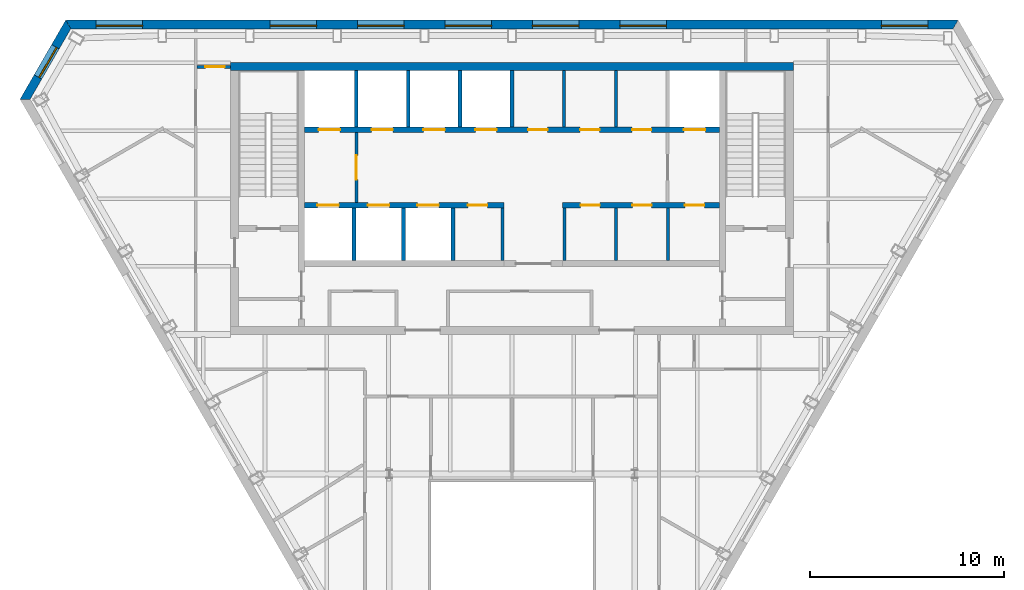
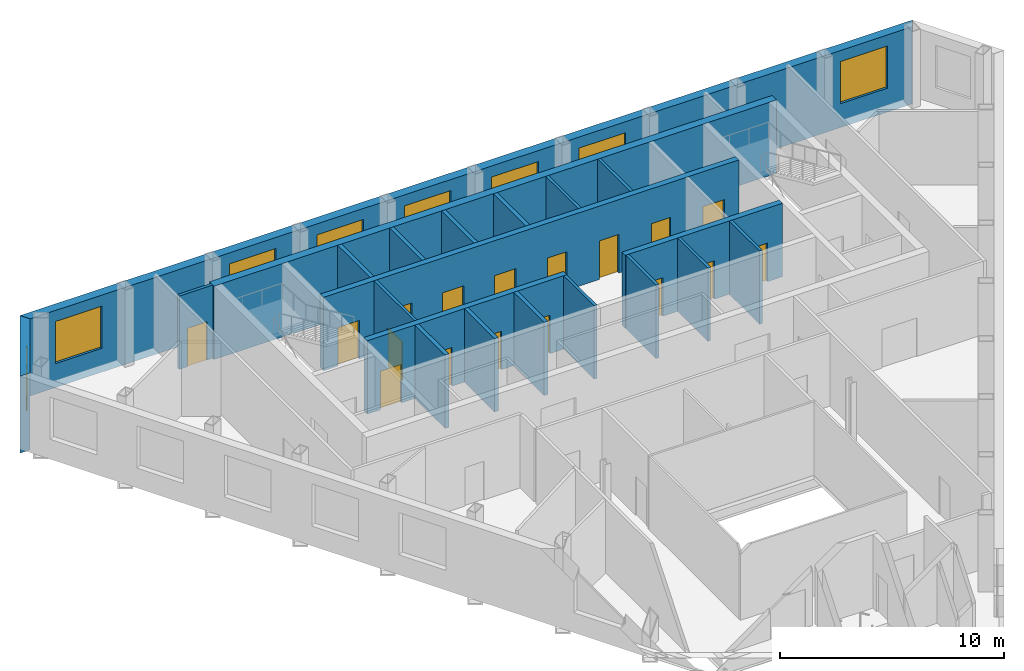
# One storey, part 6 of 10: 21 walls, 17 doors, 8 windows, 25 openings.
"""IFC4 building model written with IfcOpenShell, lengths in metres."""

import ifcopenshell
import ifcopenshell.guid

model = None  # the IFC model being written
_history = None  # IfcOwnerHistory: only IFC2X3 demands one
_inside = {}  # id of a spatial element -> (the spatial element, [elements in it])
_under = {}  # id of a project, library or spatial element -> (it, [spatial elements below it])
_declared = {}  # id of a project -> (the project, [libraries it declares])
_typed = {}  # id of a type object -> (the type object, [elements of that type])
_made_of = {}  # id of a material, layer set ... -> (it, [elements and type objects made of it])


def new_model(schema):
    """Start an empty IFC model of exactly this schema.

    Asked for "IFC4X3", IfcOpenShell would pick the latest addendum, in which some entities
    have other attributes; the version numbers below select the first issue.
    IFC2X3 requires an IfcOwnerHistory on every rooted entity: one is made here for all.
    """
    global model, _history
    if schema == "IFC4X3":
        model = ifcopenshell.file(schema_version=(4, 3, 0, 0))
    else:
        model = ifcopenshell.file(schema=schema)
    _inside.clear()
    _under.clear()
    _declared.clear()
    _typed.clear()
    _made_of.clear()
    _history = None
    if model.schema == "IFC2X3":
        org = make("IfcOrganization", Name="unknown")
        user = make(
            "IfcPersonAndOrganization",
            ThePerson=make("IfcPerson", FamilyName="unknown"),
            TheOrganization=org,
        )
        app = make(
            "IfcApplication",
            ApplicationDeveloper=org,
            Version="unknown",
            ApplicationFullName="unknown",
            ApplicationIdentifier="unknown",
        )
        _history = make(
            "IfcOwnerHistory",
            OwningUser=user,
            OwningApplication=app,
            ChangeAction="ADDED",
            CreationDate=0,
        )
    return model


def make(cls, **values):
    """One entity of the class cls with the attributes given. An attribute that is None is left unset."""
    return model.create_entity(
        cls, **{name: value for name, value in values.items() if value is not None}
    )


def rooted(cls, **values):
    """An entity with a GlobalId (a new one), such as an element, a storey or a relation."""
    return make(cls, GlobalId=ifcopenshell.guid.new(), OwnerHistory=_history, **values)


def si_unit(unit_type, name, prefix=None):
    """IfcSIUnit, for example si_unit("LENGTHUNIT", "METRE", prefix="MILLI")."""
    return make("IfcSIUnit", UnitType=unit_type, Prefix=prefix, Name=name)


def assignment(units):
    """IfcUnitAssignment: the units of a project."""
    return None if units is None else make("IfcUnitAssignment", Units=units)


def point(xyz):
    """IfcCartesianPoint."""
    return None if xyz is None else make("IfcCartesianPoint", Coordinates=xyz)


def direction(xyz):
    """IfcDirection."""
    return None if xyz is None else make("IfcDirection", DirectionRatios=xyz)


def frame(location, z_axis=None, x_axis=None):
    """IfcAxis2Placement3D, a coordinate frame: its origin and axes. An axis left out is left unset."""
    return make(
        "IfcAxis2Placement3D",
        Location=point(location),
        Axis=direction(z_axis),
        RefDirection=direction(x_axis),
    )


def frame_2d(location, x_axis=None):
    """IfcAxis2Placement2D, a coordinate frame in the plane: its origin and x axis."""
    return make(
        "IfcAxis2Placement2D", Location=point(location), RefDirection=direction(x_axis)
    )


def origin():
    """The frame at (0, 0, 0) with its axes left unset."""
    return frame((0.0, 0.0, 0.0))


def place(relative_to, where):
    """IfcLocalPlacement: puts the frame where relative to a parent placement (None: the world)."""
    return make(
        "IfcLocalPlacement", PlacementRelTo=relative_to, RelativePlacement=where
    )


def context(
    kind, dimensions, precision=None, world=None, true_north=None, identifier=None
):
    """IfcGeometricRepresentationContext, for example the 3D "Model" context."""
    return make(
        "IfcGeometricRepresentationContext",
        ContextIdentifier=identifier,
        ContextType=kind,
        CoordinateSpaceDimension=dimensions,
        Precision=precision,
        WorldCoordinateSystem=world,
        TrueNorth=true_north,
    )


def subcontext(parent, identifier, kind, view, scale=None):
    """IfcGeometricRepresentationSubContext, for example "Body" below "Model"."""
    return make(
        "IfcGeometricRepresentationSubContext",
        ContextIdentifier=identifier,
        ContextType=kind,
        ParentContext=parent,
        TargetScale=scale,
        TargetView=view,
    )


def project(units=None, contexts=None):
    """IfcProject with its units and contexts."""
    return rooted(
        "IfcProject",
        Name="project",
        RepresentationContexts=contexts,
        UnitsInContext=assignment(units),
    )


def spatial(cls, under=None, at=None, **own):
    """A site, building, storey or space (cls), placed at a placement, below another one or the project."""
    s = rooted(cls, ObjectPlacement=at, **own)
    if under is not None:
        _under.setdefault(under.id(), (under, []))[1].append(s)
    return s


def polyline(points):
    """IfcPolyline through the points."""
    return make("IfcPolyline", Points=[point(p) for p in points])


def profile(cls, at=None, kind="AREA", **sizes):
    """A parametric profile (cls). Its sizes go by their IFC names, for example OverallWidth=200.0."""
    return make(cls, ProfileType=kind, Position=at, **sizes)


def rectangle(**sizes):
    """IfcRectangleProfileDef."""
    return profile("IfcRectangleProfileDef", **sizes)


def outline(outer, holes=None, kind="AREA"):
    """IfcArbitraryClosedProfileDef: a profile drawn as a closed curve; with holes, ...WithVoids."""
    if holes is None:
        return make("IfcArbitraryClosedProfileDef", ProfileType=kind, OuterCurve=outer)
    return make(
        "IfcArbitraryProfileDefWithVoids",
        ProfileType=kind,
        OuterCurve=outer,
        InnerCurves=holes,
    )


def extrude(swept, where, along, depth):
    """IfcExtrudedAreaSolid: the profile swept, set in the frame where, extruded along a direction by depth."""
    return make(
        "IfcExtrudedAreaSolid",
        SweptArea=swept,
        Position=where,
        ExtrudedDirection=direction(along),
        Depth=depth,
    )


def shape(context_of_items, identifier, shape_type, items):
    """IfcShapeRepresentation: the items that make up one representation, for example the "Body"."""
    return make(
        "IfcShapeRepresentation",
        ContextOfItems=context_of_items,
        RepresentationIdentifier=identifier,
        RepresentationType=shape_type,
        Items=items,
    )


def material(Name=None, Category=None):
    """IfcMaterial."""
    return make("IfcMaterial", Name=Name, Category=Category)


def layer(
    of_material, thickness, ventilated=None, Name=None, Category=None, Priority=None
):
    """IfcMaterialLayer: one layer of a wall or slab, of a material (None: an air gap)."""
    return make(
        "IfcMaterialLayer",
        Material=of_material,
        LayerThickness=thickness,
        IsVentilated=ventilated,
        Name=Name,
        Category=Category,
        Priority=Priority,
    )


def layer_set(layers, Name=None):
    """IfcMaterialLayerSet."""
    return make("IfcMaterialLayerSet", MaterialLayers=layers, LayerSetName=Name)


def made_of(thing, what):
    """Note that an element or type object is made of a material, layer set ...; save() writes the relation."""
    if what is not None:
        _made_of.setdefault(what.id(), (what, []))[1].append(thing)
    return thing


def type_object(cls, material=None, **own):
    """A type object (cls), such as IfcWallType, which elements share."""
    return made_of(rooted(cls, **own), material)


def element(
    cls,
    number,
    at=None,
    inside=None,
    cuts=None,
    type_object=None,
    material=None,
    context=None,
    identifier="Body",
    shape_type=None,
    held_by="IfcProductDefinitionShape",
    body=None,
    shapes=None,
    **own,
):
    """One element of the class cls, such as IfcWall. Its Tag is "e" and its number.

    at: its placement. inside: the storey or other place that contains it. cuts: it is an
    opening in that element (IfcRelVoidsElement). A single representation is given by context,
    identifier, shape_type and body (its items); several are given by shapes. held_by: the class
    of the entity that holds the representations. save() writes the other relations.
    """
    e = rooted(cls, Tag="e%d" % number, ObjectPlacement=at, **own)
    if body is not None:
        shapes = [shape(context, identifier, shape_type, body)]
    if shapes is not None:
        e.Representation = make(held_by, Representations=shapes)
    if inside is not None:
        _inside.setdefault(inside.id(), (inside, []))[1].append(e)
    if cuts is not None:
        rooted(
            "IfcRelVoidsElement", RelatingBuildingElement=cuts, RelatedOpeningElement=e
        )
    if type_object is not None:
        _typed.setdefault(type_object.id(), (type_object, []))[1].append(e)
    return made_of(e, material)


def fill(opening, filler):
    """IfcRelFillsElement: the door or window that sits in an opening."""
    return rooted(
        "IfcRelFillsElement",
        RelatingOpeningElement=opening,
        RelatedBuildingElement=filler,
    )


def aggregate(whole, parts):
    """IfcRelAggregates: a whole, such as a stair, and the parts it consists of."""
    return rooted("IfcRelAggregates", RelatingObject=whole, RelatedObjects=parts)


def save(model, path):
    """Write the relations noted so far, then the file.

    IfcRelAggregates (storeys below a building ...), IfcRelContainedInSpatialStructure (elements
    in a storey), IfcRelDefinesByType, IfcRelAssociatesMaterial and IfcRelDeclares: one each for
    every whole, place, type object, material and project.
    """
    for whole, parts in _under.values():
        aggregate(whole, parts)
    for where, things in _inside.values():
        rooted(
            "IfcRelContainedInSpatialStructure",
            RelatedElements=things,
            RelatingStructure=where,
        )
    for kind, things in _typed.values():
        rooted("IfcRelDefinesByType", RelatedObjects=things, RelatingType=kind)
    for what, things in _made_of.values():
        rooted("IfcRelAssociatesMaterial", RelatedObjects=things, RelatingMaterial=what)
    for by, libraries in _declared.values():
        rooted("IfcRelDeclares", RelatingContext=by, RelatedDefinitions=libraries)
    model.write(path)


model = new_model("IFC4")

# Units and contexts
model_context = context("Model", 3, precision=1e-05, world=origin(), true_north=direction((0.0, 1.0)))
body_context = subcontext(model_context, "Body", "Model", "MODEL_VIEW")
ifc_project = project(units=[si_unit("LENGTHUNIT", "METRE"), si_unit("AREAUNIT", "SQUARE_METRE"), si_unit("VOLUMEUNIT", "CUBIC_METRE"), si_unit("PLANEANGLEUNIT", "RADIAN"), si_unit("MASSUNIT", "GRAM", prefix="KILO")], contexts=[model_context])

# Site, building, storey
site_placement = place(None, origin())
site = spatial("IfcSite", under=ifc_project, at=site_placement, CompositionType="ELEMENT")
building_placement = place(site_placement, origin())
building = spatial("IfcBuilding", under=site, at=building_placement, Name="Njiva Tower", CompositionType="ELEMENT")
storey_placement = place(building_placement, frame((0.0, 0.0, 304.2)))
storey = spatial("IfcBuildingStorey", under=building, at=storey_placement, Name="L69", CompositionType="ELEMENT", Elevation=304.2)

# Walls
ifc_material_1 = material(Name="Blockwork", Category="masonry")
ifc_layer_1 = layer(ifc_material_1, 0.15)
ifc_layer_set_1 = layer_set([ifc_layer_1], Name="Blockwork")
wall_type_1 = type_object("IfcWallType", Name="WT1 Compartment partition 150", PredefinedType="PARTITIONING", material=ifc_layer_set_1)
for number, where, z_axis, x_axis, name in (
    (1, (2.675, 14.7, 0.0), (0.0, 0.0, 1.0), (0.0, 1.0, 0.0), "Partition CN5"),
    (2, (5.35, 14.7, 0.0), (0.0, 0.0, 1.0), (0.0, 1.0, 0.0), "Partition CN6"),
):
    element("IfcWall", number, at=place(storey_placement, frame(where, z_axis=z_axis, x_axis=x_axis)), inside=storey, type_object=wall_type_1, Name=name, PredefinedType="PARTITIONING", context=body_context, shape_type="SweptSolid", body=[
        extrude(rectangle(XDim=2.9, YDim=0.15, at=frame_2d((1.45, 0.0))), origin(), (0.0, 0.0, 1.0), 4.0),
    ])
for number, where, z_axis, x_axis, name in (
    (3, (-0.5, 7.8, 0.0), (0.0, 0.0, 1.0), (0.0, 1.0, 0.0), "Partition CS4"),
    (4, (2.7, 7.8, 0.0), (0.0, 0.0, 1.0), (0.0, 1.0, 0.0), "Partition CS5"),
    (5, (5.3667, 7.8, 0.0), (0.0, 0.0, 1.0), (0.0, 1.0, 0.0), "Partition CS6"),
    (6, (8.0333, 7.8, 0.0), (0.0, 0.0, 1.0), (0.0, 1.0, 0.0), "Partition CS7"),
):
    element("IfcWall", number, at=place(storey_placement, frame(where, z_axis=z_axis, x_axis=x_axis)), inside=storey, type_object=wall_type_1, Name=name, PredefinedType="PARTITIONING", context=body_context, shape_type="SweptSolid", body=[
        extrude(rectangle(XDim=2.7, YDim=0.15, at=frame_2d((1.35, 0.0))), origin(), (0.0, 0.0, 1.0), 4.0),
    ])
ifc_material_2 = material(Name="Concrete C60/75", Category="concrete")
ifc_layer_2 = layer(ifc_material_2, 0.4)
ifc_layer_set_2 = layer_set([ifc_layer_2], Name="Concrete C60/75")
wall_type_2 = type_object("IfcWallType", Name="WT11 Core wall 400", PredefinedType="SHEAR", material=ifc_layer_set_2)
wall_1_placement = place(storey_placement, frame((-14.5, 17.8, 0.0), z_axis=(0.0, 0.0, 1.0), x_axis=(1.0, 0.0, 0.0)))
element("IfcWall", 7, at=wall_1_placement, inside=storey, type_object=wall_type_2, Name="Core wall north", PredefinedType="SHEAR", context=body_context, shape_type="SweptSolid", body=[
    extrude(rectangle(XDim=29.0, YDim=0.4, at=frame_2d((14.5, 0.0))), origin(), (0.0, 0.0, 1.0), 4.0),
])

# Wall, opening, door
ifc_layer_3 = layer(ifc_material_1, 0.15)
ifc_layer_set_3 = layer_set([ifc_layer_3], Name="Blockwork")
wall_type_3 = type_object("IfcWallType", Name="WT2 Lobby partition 150", PredefinedType="PARTITIONING", material=ifc_layer_set_3)
wall_2_placement = place(storey_placement, frame((-8.025, 10.8, 0.0), z_axis=(0.0, 0.0, 1.0), x_axis=(0.0, 1.0, 0.0)))
wall_2 = element("IfcWall", 8, at=wall_2_placement, inside=storey, type_object=wall_type_3, Name="Firefighting lobby wall A", PredefinedType="PARTITIONING", context=body_context, shape_type="SweptSolid", body=[
    extrude(rectangle(XDim=3.6, YDim=0.15, at=frame_2d((1.8, 0.0))), origin(), (0.0, 0.0, 1.0), 4.0),
])
opening_1_placement = place(wall_2_placement, frame((1.175, 0.0, 0.0)))
opening_1 = element("IfcOpeningElement", 9, at=opening_1_placement, cuts=wall_2, Name="Opening S23-D916", PredefinedType="OPENING", context=body_context, shape_type="SweptSolid", body=[
    extrude(rectangle(XDim=1.25, YDim=2.1, at=frame_2d((0.625, 1.05))), frame((0.0, 0.085, 0.0), z_axis=(0.0, -1.0, 0.0), x_axis=(1.0, 0.0, 0.0)), (0.0, 0.0, 1.0), 0.17),
])
ifc_material_3 = material(Name="Glazed steel fire door", Category="steel")
door_type_1 = type_object("IfcDoorType", Name="D8 Vestibule corridor door 1250x2100 glazed", OperationType="SINGLE_SWING_LEFT", PredefinedType="DOOR", material=ifc_material_3)
door_1_placement = place(opening_1_placement, origin())
door_1 = element("IfcDoor", 10, at=door_1_placement, inside=storey, type_object=door_type_1, Name="Stair vestibule corridor door", OperationType="SINGLE_SWING_RIGHT", OverallHeight=2.1, OverallWidth=1.25, PredefinedType="DOOR", context=body_context, shape_type="SweptSolid", body=[
    extrude(rectangle(XDim=1.25, YDim=2.1, at=frame_2d((0.625, 1.05))), frame((0.0, 0.025, 0.0), z_axis=(0.0, -1.0, 0.0), x_axis=(1.0, 0.0, 0.0)), (0.0, 0.0, 1.0), 0.05),
])
fill(opening_1, door_1)

ifc_material_4 = material(Name="Gypsum board on steel studs", Category="gypsum")
ifc_layer_4 = layer(ifc_material_4, 0.15)
ifc_layer_set_4 = layer_set([ifc_layer_4], Name="Gypsum board on steel studs")
wall_type_4 = type_object("IfcWallType", Name="WT21 Compartment wall 150", PredefinedType="PARTITIONING", material=ifc_layer_set_4)
wall_3_placement = place(storey_placement, frame((-16.225, 17.786, 0.0), z_axis=(0.0, 0.0, 1.0), x_axis=(1.0, 0.0, 0.0)))
wall_3 = element("IfcWall", 11, at=wall_3_placement, inside=storey, type_object=wall_type_4, Name="Partition S23-P005", PredefinedType="PARTITIONING", context=body_context, shape_type="SweptSolid", body=[
    extrude(rectangle(XDim=1.725, YDim=0.15, at=frame_2d((0.8625, 0.0))), origin(), (0.0, 0.0, 1.0), 4.0),
])
opening_2_placement = place(wall_3_placement, frame((0.417, 0.0, 0.0)))
opening_2 = element("IfcOpeningElement", 12, at=opening_2_placement, cuts=wall_3, Name="Opening S23-D004", PredefinedType="OPENING", context=body_context, shape_type="SweptSolid", body=[
    extrude(rectangle(XDim=1.0, YDim=2.1, at=frame_2d((0.5, 1.05))), frame((0.0, 0.085, 0.0), z_axis=(0.0, -1.0, 0.0), x_axis=(1.0, 0.0, 0.0)), (0.0, 0.0, 1.0), 0.17),
])
ifc_material_5 = material(Name="Steel fire door set", Category="steel")
door_type_2 = type_object("IfcDoorType", Name="D37 Fire door 1000x2100", OperationType="SINGLE_SWING_LEFT", PredefinedType="DOOR", material=ifc_material_5)
door_2_placement = place(opening_2_placement, origin())
door_2 = element("IfcDoor", 13, at=door_2_placement, inside=storey, type_object=door_type_2, Name="Door S23-D004", OperationType="SINGLE_SWING_LEFT", OverallHeight=2.1, OverallWidth=1.0, PredefinedType="DOOR", context=body_context, shape_type="SweptSolid", body=[
    extrude(rectangle(XDim=1.0, YDim=2.1, at=frame_2d((0.5, 1.05))), frame((0.0, 0.025, 0.0), z_axis=(0.0, -1.0, 0.0), x_axis=(1.0, 0.0, 0.0)), (0.0, 0.0, 1.0), 0.05),
])
fill(opening_2, door_2)

# Walls
ifc_material_6 = material(Name="Concrete C40/50", Category="concrete")
ifc_layer_5 = layer(ifc_material_6, 0.2)
ifc_layer_set_5 = layer_set([ifc_layer_5], Name="Concrete C40/50")
wall_type_5 = type_object("IfcWallType", Name="WT6 Lift shaft wall 200", PredefinedType="SHEAR", material=ifc_layer_set_5)
for number, where, z_axis, x_axis, name in (
    (14, (-8.025, 14.7, 0.0), (0.0, 0.0, 1.0), (0.0, 1.0, 0.0), "Shaft wall CN1"),
    (15, (-5.35, 14.7, 0.0), (0.0, 0.0, 1.0), (0.0, 1.0, 0.0), "Shaft wall CN2"),
    (16, (-2.675, 14.7, 0.0), (0.0, 0.0, 1.0), (0.0, 1.0, 0.0), "Shaft wall CN3"),
    (17, (0.0, 14.7, 0.0), (0.0, 0.0, 1.0), (0.0, 1.0, 0.0), "Shaft wall CN4"),
):
    element("IfcWall", number, at=place(storey_placement, frame(where, z_axis=z_axis, x_axis=x_axis)), inside=storey, type_object=wall_type_5, Name=name, PredefinedType="SHEAR", context=body_context, shape_type="SweptSolid", body=[
        extrude(rectangle(XDim=2.9, YDim=0.2, at=frame_2d((1.45, 0.0))), origin(), (0.0, 0.0, 1.0), 4.0),
    ])
for number, where, z_axis, x_axis, name in (
    (18, (-8.15, 7.8, 0.0), (0.0, 0.0, 1.0), (0.0, 1.0, 0.0), "Shaft wall CS1"),
    (19, (-5.6, 7.8, 0.0), (0.0, 0.0, 1.0), (0.0, 1.0, 0.0), "Shaft wall CS2"),
    (20, (-3.05, 7.8, 0.0), (0.0, 0.0, 1.0), (0.0, 1.0, 0.0), "Shaft wall CS3"),
):
    element("IfcWall", number, at=place(storey_placement, frame(where, z_axis=z_axis, x_axis=x_axis)), inside=storey, type_object=wall_type_5, Name=name, PredefinedType="SHEAR", context=body_context, shape_type="SweptSolid", body=[
        extrude(rectangle(XDim=2.7, YDim=0.2, at=frame_2d((1.35, 0.0))), origin(), (0.0, 0.0, 1.0), 4.0),
    ])

# Wall, openings, doors
ifc_layer_6 = layer(ifc_material_6, 0.3)
ifc_layer_set_6 = layer_set([ifc_layer_6], Name="Concrete C40/50")
wall_type_6 = type_object("IfcWallType", Name="WT7 Lift shaft wall 300", PredefinedType="SHEAR", material=ifc_layer_set_6)
wall_4_placement = place(storey_placement, frame((-10.7, 14.55, 0.0), z_axis=(0.0, 0.0, 1.0), x_axis=(1.0, 0.0, 0.0)))
wall_4 = element("IfcWall", 21, at=wall_4_placement, inside=storey, type_object=wall_type_6, Name="Shaft wall north row lobby side", PredefinedType="SHEAR", context=body_context, shape_type="SweptSolid", body=[
    extrude(rectangle(XDim=21.4, YDim=0.3, at=frame_2d((10.7, 0.0))), origin(), (0.0, 0.0, 1.0), 4.0),
])
opening_3_placement = place(wall_4_placement, frame((0.7375, 0.0, 0.0)))
opening_3 = element("IfcOpeningElement", 22, at=opening_3_placement, cuts=wall_4, Name="Opening S23-D901", PredefinedType="OPENING", context=body_context, shape_type="SweptSolid", body=[
    extrude(rectangle(XDim=1.1, YDim=2.1, at=frame_2d((0.55, 1.05))), frame((0.0, 0.16, 0.0), z_axis=(0.0, -1.0, 0.0), x_axis=(1.0, 0.0, 0.0)), (0.0, 0.0, 1.0), 0.32),
])
opening_4_placement = place(wall_4_placement, frame((3.4625, 0.0, 0.0)))
opening_4 = element("IfcOpeningElement", 23, at=opening_4_placement, cuts=wall_4, Name="Opening S23-D902", PredefinedType="OPENING", context=body_context, shape_type="SweptSolid", body=[
    extrude(rectangle(XDim=1.1, YDim=2.1, at=frame_2d((0.55, 1.05))), frame((0.0, 0.16, 0.0), z_axis=(0.0, -1.0, 0.0), x_axis=(1.0, 0.0, 0.0)), (0.0, 0.0, 1.0), 0.32),
])
opening_5_placement = place(wall_4_placement, frame((6.1375, 0.0, 0.0)))
opening_5 = element("IfcOpeningElement", 24, at=opening_5_placement, cuts=wall_4, Name="Opening S23-D903", PredefinedType="OPENING", context=body_context, shape_type="SweptSolid", body=[
    extrude(rectangle(XDim=1.1, YDim=2.1, at=frame_2d((0.55, 1.05))), frame((0.0, 0.16, 0.0), z_axis=(0.0, -1.0, 0.0), x_axis=(1.0, 0.0, 0.0)), (0.0, 0.0, 1.0), 0.32),
])
opening_6_placement = place(wall_4_placement, frame((8.8125, 0.0, 0.0)))
opening_6 = element("IfcOpeningElement", 25, at=opening_6_placement, cuts=wall_4, Name="Opening S23-D904", PredefinedType="OPENING", context=body_context, shape_type="SweptSolid", body=[
    extrude(rectangle(XDim=1.1, YDim=2.1, at=frame_2d((0.55, 1.05))), frame((0.0, 0.16, 0.0), z_axis=(0.0, -1.0, 0.0), x_axis=(1.0, 0.0, 0.0)), (0.0, 0.0, 1.0), 0.32),
])
opening_7_placement = place(wall_4_placement, frame((19.5625, 0.0, 0.0)))
opening_7 = element("IfcOpeningElement", 26, at=opening_7_placement, cuts=wall_4, Name="Opening S23-D905", PredefinedType="OPENING", context=body_context, shape_type="SweptSolid", body=[
    extrude(rectangle(XDim=1.1, YDim=2.1, at=frame_2d((0.55, 1.05))), frame((0.0, 0.16, 0.0), z_axis=(0.0, -1.0, 0.0), x_axis=(1.0, 0.0, 0.0)), (0.0, 0.0, 1.0), 0.32),
])
opening_8_placement = place(wall_4_placement, frame((11.5375, 0.0, 0.0)))
opening_8 = element("IfcOpeningElement", 27, at=opening_8_placement, cuts=wall_4, Name="Opening S23-D909", PredefinedType="OPENING", context=body_context, shape_type="SweptSolid", body=[
    extrude(rectangle(XDim=1.0, YDim=2.1, at=frame_2d((0.5, 1.05))), frame((0.0, 0.16, 0.0), z_axis=(0.0, -1.0, 0.0), x_axis=(1.0, 0.0, 0.0)), (0.0, 0.0, 1.0), 0.32),
])
opening_9_placement = place(wall_4_placement, frame((14.2125, 0.0, 0.0)))
opening_9 = element("IfcOpeningElement", 28, at=opening_9_placement, cuts=wall_4, Name="Opening S23-D910", PredefinedType="OPENING", context=body_context, shape_type="SweptSolid", body=[
    extrude(rectangle(XDim=1.0, YDim=2.1, at=frame_2d((0.5, 1.05))), frame((0.0, 0.16, 0.0), z_axis=(0.0, -1.0, 0.0), x_axis=(1.0, 0.0, 0.0)), (0.0, 0.0, 1.0), 0.32),
])
opening_10_placement = place(wall_4_placement, frame((16.8875, 0.0, 0.0)))
opening_10 = element("IfcOpeningElement", 29, at=opening_10_placement, cuts=wall_4, Name="Opening S23-D911", PredefinedType="OPENING", context=body_context, shape_type="SweptSolid", body=[
    extrude(rectangle(XDim=1.0, YDim=2.1, at=frame_2d((0.5, 1.05))), frame((0.0, 0.16, 0.0), z_axis=(0.0, -1.0, 0.0), x_axis=(1.0, 0.0, 0.0)), (0.0, 0.0, 1.0), 0.32),
])
ifc_material_7 = material(Name="Steel door, painted", Category="steel")
door_type_3 = type_object("IfcDoorType", Name="D5 Steel door 1000x2100", OperationType="SINGLE_SWING_LEFT", PredefinedType="DOOR", material=ifc_material_7)
door_3_placement = place(opening_8_placement, origin())
door_3 = element("IfcDoor", 30, at=door_3_placement, inside=storey, type_object=door_type_3, Name="Business centre door", OperationType="SINGLE_SWING_LEFT", OverallHeight=2.1, OverallWidth=1.0, PredefinedType="DOOR", context=body_context, shape_type="SweptSolid", body=[
    extrude(rectangle(XDim=1.0, YDim=2.1, at=frame_2d((0.5, 1.05))), frame((0.0, 0.025, 0.0), z_axis=(0.0, -1.0, 0.0), x_axis=(1.0, 0.0, 0.0)), (0.0, 0.0, 1.0), 0.05),
])
fill(opening_8, door_3)
door_4_placement = place(opening_9_placement, origin())
door_4 = element("IfcDoor", 31, at=door_4_placement, inside=storey, type_object=door_type_3, Name="Meeting room door", OperationType="SINGLE_SWING_LEFT", OverallHeight=2.1, OverallWidth=1.0, PredefinedType="DOOR", context=body_context, shape_type="SweptSolid", body=[
    extrude(rectangle(XDim=1.0, YDim=2.1, at=frame_2d((0.5, 1.05))), frame((0.0, 0.025, 0.0), z_axis=(0.0, -1.0, 0.0), x_axis=(1.0, 0.0, 0.0)), (0.0, 0.0, 1.0), 0.05),
])
fill(opening_9, door_4)
door_5_placement = place(opening_10_placement, origin())
door_5 = element("IfcDoor", 32, at=door_5_placement, inside=storey, type_object=door_type_3, Name="Breakout room door", OperationType="SINGLE_SWING_LEFT", OverallHeight=2.1, OverallWidth=1.0, PredefinedType="DOOR", context=body_context, shape_type="SweptSolid", body=[
    extrude(rectangle(XDim=1.0, YDim=2.1, at=frame_2d((0.5, 1.05))), frame((0.0, 0.025, 0.0), z_axis=(0.0, -1.0, 0.0), x_axis=(1.0, 0.0, 0.0)), (0.0, 0.0, 1.0), 0.05),
])
fill(opening_10, door_5)
ifc_material_8 = material(Name="Stainless steel sliding door", Category="steel")
door_type_4 = type_object("IfcDoorType", Name="LD Lift landing door 1100x2100", OperationType="SLIDING_TO_LEFT", PredefinedType="DOOR", material=ifc_material_8)
door_6_placement = place(opening_3_placement, origin())
door_6 = element("IfcDoor", 33, at=door_6_placement, inside=storey, type_object=door_type_4, Name="Lift landing door FF1", OperationType="SLIDING_TO_LEFT", OverallHeight=2.1, OverallWidth=1.1, PredefinedType="DOOR", context=body_context, shape_type="SweptSolid", body=[
    extrude(rectangle(XDim=1.1, YDim=2.1, at=frame_2d((0.55, 1.05))), frame((0.0, 0.025, 0.0), z_axis=(0.0, -1.0, 0.0), x_axis=(1.0, 0.0, 0.0)), (0.0, 0.0, 1.0), 0.05),
])
fill(opening_3, door_6)
door_7_placement = place(opening_4_placement, origin())
door_7 = element("IfcDoor", 34, at=door_7_placement, inside=storey, type_object=door_type_4, Name="Lift landing door HB4", OperationType="SLIDING_TO_LEFT", OverallHeight=2.1, OverallWidth=1.1, PredefinedType="DOOR", context=body_context, shape_type="SweptSolid", body=[
    extrude(rectangle(XDim=1.1, YDim=2.1, at=frame_2d((0.55, 1.05))), frame((0.0, 0.025, 0.0), z_axis=(0.0, -1.0, 0.0), x_axis=(1.0, 0.0, 0.0)), (0.0, 0.0, 1.0), 0.05),
])
fill(opening_4, door_7)
door_8_placement = place(opening_5_placement, origin())
door_8 = element("IfcDoor", 35, at=door_8_placement, inside=storey, type_object=door_type_4, Name="Lift landing door HB5", OperationType="SLIDING_TO_LEFT", OverallHeight=2.1, OverallWidth=1.1, PredefinedType="DOOR", context=body_context, shape_type="SweptSolid", body=[
    extrude(rectangle(XDim=1.1, YDim=2.1, at=frame_2d((0.55, 1.05))), frame((0.0, 0.025, 0.0), z_axis=(0.0, -1.0, 0.0), x_axis=(1.0, 0.0, 0.0)), (0.0, 0.0, 1.0), 0.05),
])
fill(opening_5, door_8)
door_9_placement = place(opening_6_placement, origin())
door_9 = element("IfcDoor", 36, at=door_9_placement, inside=storey, type_object=door_type_4, Name="Lift landing door HB6", OperationType="SLIDING_TO_LEFT", OverallHeight=2.1, OverallWidth=1.1, PredefinedType="DOOR", context=body_context, shape_type="SweptSolid", body=[
    extrude(rectangle(XDim=1.1, YDim=2.1, at=frame_2d((0.55, 1.05))), frame((0.0, 0.025, 0.0), z_axis=(0.0, -1.0, 0.0), x_axis=(1.0, 0.0, 0.0)), (0.0, 0.0, 1.0), 0.05),
])
fill(opening_6, door_9)
door_10_placement = place(opening_7_placement, origin())
door_10 = element("IfcDoor", 37, at=door_10_placement, inside=storey, type_object=door_type_4, Name="Lift landing door FF2", OperationType="SLIDING_TO_LEFT", OverallHeight=2.1, OverallWidth=1.1, PredefinedType="DOOR", context=body_context, shape_type="SweptSolid", body=[
    extrude(rectangle(XDim=1.1, YDim=2.1, at=frame_2d((0.55, 1.05))), frame((0.0, 0.025, 0.0), z_axis=(0.0, -1.0, 0.0), x_axis=(1.0, 0.0, 0.0)), (0.0, 0.0, 1.0), 0.05),
])
fill(opening_7, door_10)

wall_5_placement = place(storey_placement, frame((-10.7, 10.65, 0.0), z_axis=(0.0, 0.0, 1.0), x_axis=(1.0, 0.0, 0.0)))
wall_5 = element("IfcWall", 38, at=wall_5_placement, inside=storey, type_object=wall_type_6, Name="Shaft wall south row lobby side W", PredefinedType="SHEAR", context=body_context, shape_type="SweptSolid", body=[
    extrude(rectangle(XDim=10.3, YDim=0.3, at=frame_2d((5.15, 0.0))), origin(), (0.0, 0.0, 1.0), 4.0),
])
opening_11_placement = place(wall_5_placement, frame((0.675, 0.0, 0.0)))
opening_11 = element("IfcOpeningElement", 39, at=opening_11_placement, cuts=wall_5, Name="Opening S23-D906", PredefinedType="OPENING", context=body_context, shape_type="SweptSolid", body=[
    extrude(rectangle(XDim=1.1, YDim=2.1, at=frame_2d((0.55, 1.05))), frame((0.0, 0.16, 0.0), z_axis=(0.0, -1.0, 0.0), x_axis=(1.0, 0.0, 0.0)), (0.0, 0.0, 1.0), 0.32),
])
opening_12_placement = place(wall_5_placement, frame((3.275, 0.0, 0.0)))
opening_12 = element("IfcOpeningElement", 40, at=opening_12_placement, cuts=wall_5, Name="Opening S23-D907", PredefinedType="OPENING", context=body_context, shape_type="SweptSolid", body=[
    extrude(rectangle(XDim=1.1, YDim=2.1, at=frame_2d((0.55, 1.05))), frame((0.0, 0.16, 0.0), z_axis=(0.0, -1.0, 0.0), x_axis=(1.0, 0.0, 0.0)), (0.0, 0.0, 1.0), 0.32),
])
opening_13_placement = place(wall_5_placement, frame((5.825, 0.0, 0.0)))
opening_13 = element("IfcOpeningElement", 41, at=opening_13_placement, cuts=wall_5, Name="Opening S23-D908", PredefinedType="OPENING", context=body_context, shape_type="SweptSolid", body=[
    extrude(rectangle(XDim=1.1, YDim=2.1, at=frame_2d((0.55, 1.05))), frame((0.0, 0.16, 0.0), z_axis=(0.0, -1.0, 0.0), x_axis=(1.0, 0.0, 0.0)), (0.0, 0.0, 1.0), 0.32),
])
opening_14_placement = place(wall_5_placement, frame((8.425, 0.0, 0.0)))
opening_14 = element("IfcOpeningElement", 42, at=opening_14_placement, cuts=wall_5, Name="Opening S23-D912", PredefinedType="OPENING", context=body_context, shape_type="SweptSolid", body=[
    extrude(rectangle(XDim=1.0, YDim=2.1, at=frame_2d((0.5, 1.05))), frame((0.0, 0.16, 0.0), z_axis=(0.0, -1.0, 0.0), x_axis=(1.0, 0.0, 0.0)), (0.0, 0.0, 1.0), 0.32),
])
door_11_placement = place(opening_14_placement, origin())
door_11 = element("IfcDoor", 43, at=door_11_placement, inside=storey, type_object=door_type_3, Name="Breakout room door", OperationType="SINGLE_SWING_RIGHT", OverallHeight=2.1, OverallWidth=1.0, PredefinedType="DOOR", context=body_context, shape_type="SweptSolid", body=[
    extrude(rectangle(XDim=1.0, YDim=2.1, at=frame_2d((0.5, 1.05))), frame((0.0, 0.025, 0.0), z_axis=(0.0, -1.0, 0.0), x_axis=(1.0, 0.0, 0.0)), (0.0, 0.0, 1.0), 0.05),
])
fill(opening_14, door_11)
door_12_placement = place(opening_11_placement, origin())
door_12 = element("IfcDoor", 44, at=door_12_placement, inside=storey, type_object=door_type_4, Name="Lift landing door HB1", OperationType="SLIDING_TO_LEFT", OverallHeight=2.1, OverallWidth=1.1, PredefinedType="DOOR", context=body_context, shape_type="SweptSolid", body=[
    extrude(rectangle(XDim=1.1, YDim=2.1, at=frame_2d((0.55, 1.05))), frame((0.0, 0.025, 0.0), z_axis=(0.0, -1.0, 0.0), x_axis=(1.0, 0.0, 0.0)), (0.0, 0.0, 1.0), 0.05),
])
fill(opening_11, door_12)
door_13_placement = place(opening_12_placement, origin())
door_13 = element("IfcDoor", 45, at=door_13_placement, inside=storey, type_object=door_type_4, Name="Lift landing door HB2", OperationType="SLIDING_TO_LEFT", OverallHeight=2.1, OverallWidth=1.1, PredefinedType="DOOR", context=body_context, shape_type="SweptSolid", body=[
    extrude(rectangle(XDim=1.1, YDim=2.1, at=frame_2d((0.55, 1.05))), frame((0.0, 0.025, 0.0), z_axis=(0.0, -1.0, 0.0), x_axis=(1.0, 0.0, 0.0)), (0.0, 0.0, 1.0), 0.05),
])
fill(opening_12, door_13)
door_14_placement = place(opening_13_placement, origin())
door_14 = element("IfcDoor", 46, at=door_14_placement, inside=storey, type_object=door_type_4, Name="Lift landing door HB3", OperationType="SLIDING_TO_LEFT", OverallHeight=2.1, OverallWidth=1.1, PredefinedType="DOOR", context=body_context, shape_type="SweptSolid", body=[
    extrude(rectangle(XDim=1.1, YDim=2.1, at=frame_2d((0.55, 1.05))), frame((0.0, 0.025, 0.0), z_axis=(0.0, -1.0, 0.0), x_axis=(1.0, 0.0, 0.0)), (0.0, 0.0, 1.0), 0.05),
])
fill(opening_13, door_14)

wall_6_placement = place(storey_placement, frame((2.6, 10.65, 0.0), z_axis=(0.0, 0.0, 1.0), x_axis=(1.0, 0.0, 0.0)))
wall_6 = element("IfcWall", 47, at=wall_6_placement, inside=storey, type_object=wall_type_6, Name="Shaft wall south row lobby side E", PredefinedType="SHEAR", context=body_context, shape_type="SweptSolid", body=[
    extrude(rectangle(XDim=8.1, YDim=0.3, at=frame_2d((4.05, 0.0))), origin(), (0.0, 0.0, 1.0), 4.0),
])
opening_15_placement = place(wall_6_placement, frame((0.9334, 0.0, 0.0)))
opening_15 = element("IfcOpeningElement", 48, at=opening_15_placement, cuts=wall_6, Name="Opening S23-D913", PredefinedType="OPENING", context=body_context, shape_type="SweptSolid", body=[
    extrude(rectangle(XDim=1.0, YDim=2.1, at=frame_2d((0.5, 1.05))), frame((0.0, 0.16, 0.0), z_axis=(0.0, -1.0, 0.0), x_axis=(1.0, 0.0, 0.0)), (0.0, 0.0, 1.0), 0.32),
])
opening_16_placement = place(wall_6_placement, frame((3.6, 0.0, 0.0)))
opening_16 = element("IfcOpeningElement", 49, at=opening_16_placement, cuts=wall_6, Name="Opening S23-D914", PredefinedType="OPENING", context=body_context, shape_type="SweptSolid", body=[
    extrude(rectangle(XDim=1.0, YDim=2.1, at=frame_2d((0.5, 1.05))), frame((0.0, 0.16, 0.0), z_axis=(0.0, -1.0, 0.0), x_axis=(1.0, 0.0, 0.0)), (0.0, 0.0, 1.0), 0.32),
])
opening_17_placement = place(wall_6_placement, frame((6.3167, 0.0, 0.0)))
opening_17 = element("IfcOpeningElement", 50, at=opening_17_placement, cuts=wall_6, Name="Opening S23-D915", PredefinedType="OPENING", context=body_context, shape_type="SweptSolid", body=[
    extrude(rectangle(XDim=1.0, YDim=2.1, at=frame_2d((0.5, 1.05))), frame((0.0, 0.16, 0.0), z_axis=(0.0, -1.0, 0.0), x_axis=(1.0, 0.0, 0.0)), (0.0, 0.0, 1.0), 0.32),
])
door_15_placement = place(opening_15_placement, origin())
door_15 = element("IfcDoor", 51, at=door_15_placement, inside=storey, type_object=door_type_3, Name="Reading room door", OperationType="SINGLE_SWING_LEFT", OverallHeight=2.1, OverallWidth=1.0, PredefinedType="DOOR", context=body_context, shape_type="SweptSolid", body=[
    extrude(rectangle(XDim=1.0, YDim=2.1, at=frame_2d((0.5, 1.05))), frame((0.0, 0.025, 0.0), z_axis=(0.0, -1.0, 0.0), x_axis=(1.0, 0.0, 0.0)), (0.0, 0.0, 1.0), 0.05),
])
fill(opening_15, door_15)
door_16_placement = place(opening_16_placement, origin())
door_16 = element("IfcDoor", 52, at=door_16_placement, inside=storey, type_object=door_type_3, Name="Business centre door", OperationType="SINGLE_SWING_RIGHT", OverallHeight=2.1, OverallWidth=1.0, PredefinedType="DOOR", context=body_context, shape_type="SweptSolid", body=[
    extrude(rectangle(XDim=1.0, YDim=2.1, at=frame_2d((0.5, 1.05))), frame((0.0, 0.025, 0.0), z_axis=(0.0, -1.0, 0.0), x_axis=(1.0, 0.0, 0.0)), (0.0, 0.0, 1.0), 0.05),
])
fill(opening_16, door_16)
door_17_placement = place(opening_17_placement, origin())
door_17 = element("IfcDoor", 53, at=door_17_placement, inside=storey, type_object=door_type_3, Name="Pump room door", OperationType="SINGLE_SWING_RIGHT", OverallHeight=2.1, OverallWidth=1.0, PredefinedType="DOOR", context=body_context, shape_type="SweptSolid", body=[
    extrude(rectangle(XDim=1.0, YDim=2.1, at=frame_2d((0.5, 1.05))), frame((0.0, 0.025, 0.0), z_axis=(0.0, -1.0, 0.0), x_axis=(1.0, 0.0, 0.0)), (0.0, 0.0, 1.0), 0.05),
])
fill(opening_17, door_17)

# Wall, openings, windows
ifc_material_9 = material(Name="Brick masonry", Category="masonry")
ifc_layer_7 = layer(ifc_material_9, 0.45)
ifc_layer_set_7 = layer_set([ifc_layer_7], Name="Brick masonry")
wall_type_7 = type_object("IfcWallType", Name="WT90 Brick pier and spandrel wall 450", PredefinedType="SOLIDWALL", material=ifc_layer_set_7)
wall_7_placement = place(storey_placement, frame((22.8651, 19.975, -0.4), z_axis=(0.0, 0.0, 1.0), x_axis=(-1.0, 0.0, 0.0)))
wall_7 = element("IfcWall", 54, at=wall_7_placement, inside=storey, type_object=wall_type_7, Name="Facade wall N", PredefinedType="SOLIDWALL", context=body_context, shape_type="SweptSolid", body=[
    extrude(outline(polyline([(-0.1299, -0.225), (45.8601, -0.225), (45.6003, 0.225), (0.1299, 0.225), (-0.1299, -0.225)])), origin(), (0.0, 0.0, 1.0), 4.2),
])
opening_18_placement = place(wall_7_placement, frame((1.4237, 0.0, 1.3)))
opening_18 = element("IfcOpeningElement", 55, at=opening_18_placement, cuts=wall_7, Name="Opening S23-W01", PredefinedType="OPENING", context=body_context, shape_type="SweptSolid", body=[
    extrude(rectangle(XDim=2.4, YDim=2.3, at=frame_2d((1.2, 1.15))), frame((0.0, 0.235, 0.0), z_axis=(0.0, -1.0, 0.0), x_axis=(1.0, 0.0, 0.0)), (0.0, 0.0, 1.0), 0.47),
])
opening_19_placement = place(wall_7_placement, frame((14.9052, 0.0, 1.3)))
opening_19 = element("IfcOpeningElement", 56, at=opening_19_placement, cuts=wall_7, Name="Opening S23-W02", PredefinedType="OPENING", context=body_context, shape_type="SweptSolid", body=[
    extrude(rectangle(XDim=2.4, YDim=2.3, at=frame_2d((1.2, 1.15))), frame((0.0, 0.235, 0.0), z_axis=(0.0, -1.0, 0.0), x_axis=(1.0, 0.0, 0.0)), (0.0, 0.0, 1.0), 0.47),
])
opening_20_placement = place(wall_7_placement, frame((19.4118, 0.0, 1.3)))
opening_20 = element("IfcOpeningElement", 57, at=opening_20_placement, cuts=wall_7, Name="Opening S23-W03", PredefinedType="OPENING", context=body_context, shape_type="SweptSolid", body=[
    extrude(rectangle(XDim=2.4, YDim=2.3, at=frame_2d((1.2, 1.15))), frame((0.0, 0.235, 0.0), z_axis=(0.0, -1.0, 0.0), x_axis=(1.0, 0.0, 0.0)), (0.0, 0.0, 1.0), 0.47),
])
opening_21_placement = place(wall_7_placement, frame((23.9184, 0.0, 1.3)))
opening_21 = element("IfcOpeningElement", 58, at=opening_21_placement, cuts=wall_7, Name="Opening S23-W04", PredefinedType="OPENING", context=body_context, shape_type="SweptSolid", body=[
    extrude(rectangle(XDim=2.4, YDim=2.3, at=frame_2d((1.2, 1.15))), frame((0.0, 0.235, 0.0), z_axis=(0.0, -1.0, 0.0), x_axis=(1.0, 0.0, 0.0)), (0.0, 0.0, 1.0), 0.47),
])
opening_22_placement = place(wall_7_placement, frame((28.425, 0.0, 1.3)))
opening_22 = element("IfcOpeningElement", 59, at=opening_22_placement, cuts=wall_7, Name="Opening S23-W05", PredefinedType="OPENING", context=body_context, shape_type="SweptSolid", body=[
    extrude(rectangle(XDim=2.4, YDim=2.3, at=frame_2d((1.2, 1.15))), frame((0.0, 0.235, 0.0), z_axis=(0.0, -1.0, 0.0), x_axis=(1.0, 0.0, 0.0)), (0.0, 0.0, 1.0), 0.47),
])
opening_23_placement = place(wall_7_placement, frame((32.9316, 0.0, 1.3)))
opening_23 = element("IfcOpeningElement", 60, at=opening_23_placement, cuts=wall_7, Name="Opening S23-W06", PredefinedType="OPENING", context=body_context, shape_type="SweptSolid", body=[
    extrude(rectangle(XDim=2.4, YDim=2.3, at=frame_2d((1.2, 1.15))), frame((0.0, 0.235, 0.0), z_axis=(0.0, -1.0, 0.0), x_axis=(1.0, 0.0, 0.0)), (0.0, 0.0, 1.0), 0.47),
])
opening_24_placement = place(wall_7_placement, frame((41.9065, 0.0, 1.3)))
opening_24 = element("IfcOpeningElement", 61, at=opening_24_placement, cuts=wall_7, Name="Opening S23-W07", PredefinedType="OPENING", context=body_context, shape_type="SweptSolid", body=[
    extrude(rectangle(XDim=2.4, YDim=2.3, at=frame_2d((1.2, 1.15))), frame((0.0, 0.235, 0.0), z_axis=(0.0, -1.0, 0.0), x_axis=(1.0, 0.0, 0.0)), (0.0, 0.0, 1.0), 0.47),
])
ifc_material_10 = material(Name="Clear glazing in aluminium frame", Category="aluminium")
window_type_1 = type_object("IfcWindowType", Name="W91 Deep-set window 2400x2300", PartitioningType="SINGLE_PANEL", PredefinedType="WINDOW", material=ifc_material_10)
window_1_placement = place(opening_18_placement, origin())
window_1 = element("IfcWindow", 62, at=window_1_placement, inside=storey, type_object=window_type_1, Name="Window", OverallHeight=2.3, OverallWidth=2.4, PartitioningType="SINGLE_PANEL", PredefinedType="WINDOW", context=body_context, shape_type="SweptSolid", body=[
    extrude(rectangle(XDim=2.4, YDim=2.3, at=frame_2d((1.2, 1.15))), frame((0.0, 0.105, 0.0), z_axis=(0.0, -1.0, 0.0), x_axis=(1.0, 0.0, 0.0)), (0.0, 0.0, 1.0), 0.06),
])
fill(opening_18, window_1)
window_2_placement = place(opening_19_placement, origin())
window_2 = element("IfcWindow", 63, at=window_2_placement, inside=storey, type_object=window_type_1, Name="Window", OverallHeight=2.3, OverallWidth=2.4, PartitioningType="SINGLE_PANEL", PredefinedType="WINDOW", context=body_context, shape_type="SweptSolid", body=[
    extrude(rectangle(XDim=2.4, YDim=2.3, at=frame_2d((1.2, 1.15))), frame((0.0, 0.105, 0.0), z_axis=(0.0, -1.0, 0.0), x_axis=(1.0, 0.0, 0.0)), (0.0, 0.0, 1.0), 0.06),
])
fill(opening_19, window_2)
window_3_placement = place(opening_20_placement, origin())
window_3 = element("IfcWindow", 64, at=window_3_placement, inside=storey, type_object=window_type_1, Name="Window", OverallHeight=2.3, OverallWidth=2.4, PartitioningType="SINGLE_PANEL", PredefinedType="WINDOW", context=body_context, shape_type="SweptSolid", body=[
    extrude(rectangle(XDim=2.4, YDim=2.3, at=frame_2d((1.2, 1.15))), frame((0.0, 0.105, 0.0), z_axis=(0.0, -1.0, 0.0), x_axis=(1.0, 0.0, 0.0)), (0.0, 0.0, 1.0), 0.06),
])
fill(opening_20, window_3)
window_4_placement = place(opening_21_placement, origin())
window_4 = element("IfcWindow", 65, at=window_4_placement, inside=storey, type_object=window_type_1, Name="Window", OverallHeight=2.3, OverallWidth=2.4, PartitioningType="SINGLE_PANEL", PredefinedType="WINDOW", context=body_context, shape_type="SweptSolid", body=[
    extrude(rectangle(XDim=2.4, YDim=2.3, at=frame_2d((1.2, 1.15))), frame((0.0, 0.105, 0.0), z_axis=(0.0, -1.0, 0.0), x_axis=(1.0, 0.0, 0.0)), (0.0, 0.0, 1.0), 0.06),
])
fill(opening_21, window_4)
window_5_placement = place(opening_22_placement, origin())
window_5 = element("IfcWindow", 66, at=window_5_placement, inside=storey, type_object=window_type_1, Name="Window", OverallHeight=2.3, OverallWidth=2.4, PartitioningType="SINGLE_PANEL", PredefinedType="WINDOW", context=body_context, shape_type="SweptSolid", body=[
    extrude(rectangle(XDim=2.4, YDim=2.3, at=frame_2d((1.2, 1.15))), frame((0.0, 0.105, 0.0), z_axis=(0.0, -1.0, 0.0), x_axis=(1.0, 0.0, 0.0)), (0.0, 0.0, 1.0), 0.06),
])
fill(opening_22, window_5)
window_6_placement = place(opening_23_placement, origin())
window_6 = element("IfcWindow", 67, at=window_6_placement, inside=storey, type_object=window_type_1, Name="Window", OverallHeight=2.3, OverallWidth=2.4, PartitioningType="SINGLE_PANEL", PredefinedType="WINDOW", context=body_context, shape_type="SweptSolid", body=[
    extrude(rectangle(XDim=2.4, YDim=2.3, at=frame_2d((1.2, 1.15))), frame((0.0, 0.105, 0.0), z_axis=(0.0, -1.0, 0.0), x_axis=(1.0, 0.0, 0.0)), (0.0, 0.0, 1.0), 0.06),
])
fill(opening_23, window_6)
window_7_placement = place(opening_24_placement, origin())
window_7 = element("IfcWindow", 68, at=window_7_placement, inside=storey, type_object=window_type_1, Name="Window", OverallHeight=2.3, OverallWidth=2.4, PartitioningType="SINGLE_PANEL", PredefinedType="WINDOW", context=body_context, shape_type="SweptSolid", body=[
    extrude(rectangle(XDim=2.4, YDim=2.3, at=frame_2d((1.2, 1.15))), frame((0.0, 0.105, 0.0), z_axis=(0.0, -1.0, 0.0), x_axis=(1.0, 0.0, 0.0)), (0.0, 0.0, 1.0), 0.06),
])
fill(opening_24, window_7)

# Wall, opening, window
ifc_material_11 = material(Name="Brick masonry, buff", Category="masonry")
ifc_layer_8 = layer(ifc_material_11, 0.45)
ifc_layer_set_8 = layer_set([ifc_layer_8], Name="Brick masonry, buff")
wall_type_8 = type_object("IfcWallType", Name="WT94 Brick pier and spandrel wall 450, buff", PredefinedType="SOLIDWALL", material=ifc_layer_set_8)
wall_8_placement = place(storey_placement, frame((-22.8688, 19.9772, -0.4), z_axis=(0.0, 0.0, 1.0), x_axis=(-0.499994806646, -0.866028402148, 0.0)))
wall_8 = element("IfcWall", 69, at=wall_8_placement, inside=storey, type_object=wall_type_8, Name="Facade wall NW", PredefinedType="SOLIDWALL", context=body_context, shape_type="SweptSolid", body=[
    extrude(outline(polyline([(-0.1299, -0.225), (4.5901, -0.225), (4.3303, 0.225), (0.1299, 0.225), (-0.1299, -0.225)])), origin(), (0.0, 0.0, 1.0), 4.2),
])
opening_25_placement = place(wall_8_placement, frame((1.3301, 0.0, 1.3)))
opening_25 = element("IfcOpeningElement", 70, at=opening_25_placement, cuts=wall_8, Name="Opening S23-W08", PredefinedType="OPENING", context=body_context, shape_type="SweptSolid", body=[
    extrude(rectangle(XDim=1.8, YDim=2.3, at=frame_2d((0.9, 1.15))), frame((0.0, 0.235, 0.0), z_axis=(0.0, -1.0, 0.0), x_axis=(1.0, 0.0, 0.0)), (0.0, 0.0, 1.0), 0.47),
])
window_type_2 = type_object("IfcWindowType", Name="W95 Deep-set window 1800x2300", PartitioningType="SINGLE_PANEL", PredefinedType="WINDOW", material=ifc_material_10)
window_8_placement = place(opening_25_placement, origin())
window_8 = element("IfcWindow", 71, at=window_8_placement, inside=storey, type_object=window_type_2, Name="Window", OverallHeight=2.3, OverallWidth=1.8, PartitioningType="SINGLE_PANEL", PredefinedType="WINDOW", context=body_context, shape_type="SweptSolid", body=[
    extrude(rectangle(XDim=1.8, YDim=2.3, at=frame_2d((0.9, 1.15))), frame((0.0, 0.105, 0.0), z_axis=(0.0, -1.0, 0.0), x_axis=(1.0, 0.0, 0.0)), (0.0, 0.0, 1.0), 0.06),
])
fill(opening_25, window_8)

save(model, "model.ifc")
